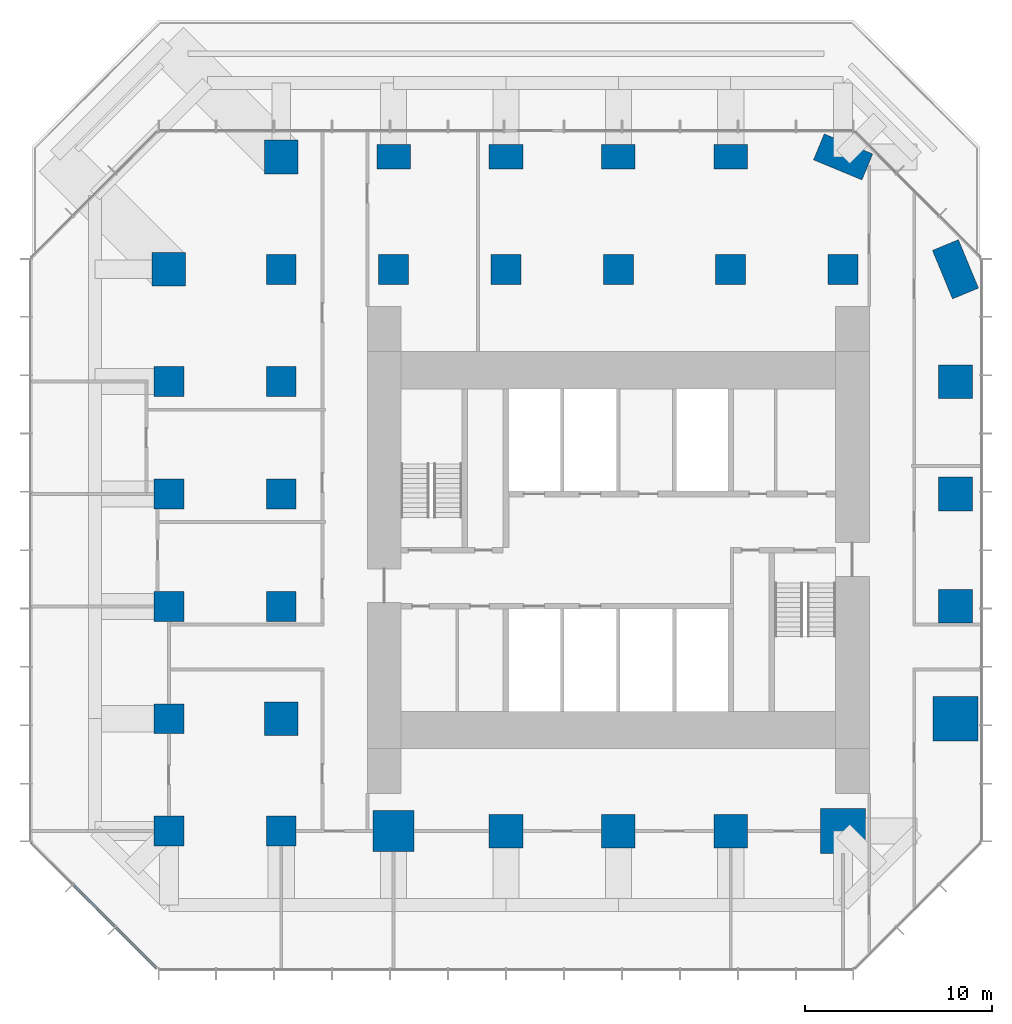
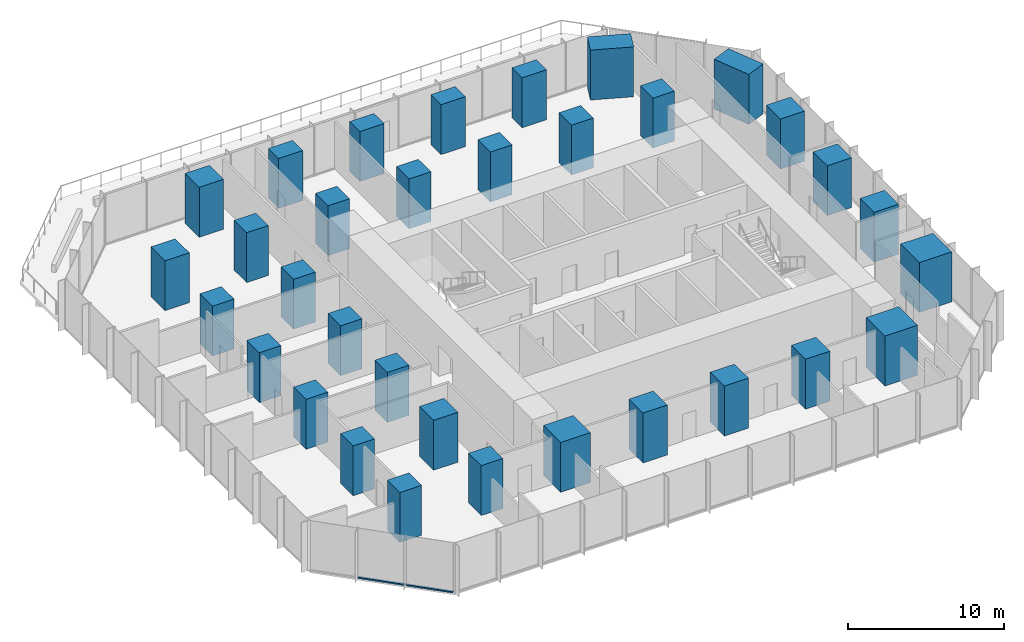
# One storey, part 1 of 11: 33 columns, 2 members, 1 element without a shape of its own.
"""IFC4 building model written with IfcOpenShell, lengths in metres."""

from ifc_helpers import new_model, si_unit, direction, frame, origin, origin_2d, place, context, subcontext, project, spatial, rectangle, extrude, material, layer, layer_set, material_profile, profile_set, type_object, element, aggregate, save


model = new_model("IFC4")

# Units and contexts
model_context = context("Model", 3, precision=1e-05, world=origin(), true_north=direction((0.0, 1.0)))
body_context = subcontext(model_context, "Body", "Model", "MODEL_VIEW")
ifc_project = project(units=[si_unit("LENGTHUNIT", "METRE"), si_unit("AREAUNIT", "SQUARE_METRE"), si_unit("VOLUMEUNIT", "CUBIC_METRE"), si_unit("PLANEANGLEUNIT", "RADIAN"), si_unit("MASSUNIT", "GRAM", prefix="KILO")], contexts=[model_context])

# Site, building, storey
site_placement = place(None, origin())
site = spatial("IfcSite", under=ifc_project, at=site_placement, CompositionType="ELEMENT")
building_placement = place(site_placement, origin())
building = spatial("IfcBuilding", under=site, at=building_placement, Name="Highveld Stack Headquarters", CompositionType="ELEMENT")
storey_placement = place(building_placement, frame((0.0, 0.0, 117.199951171875)))
storey = spatial("IfcBuildingStorey", under=building, at=storey_placement, Name="L28", CompositionType="ELEMENT", Elevation=117.199951171875)

# Columns
ifc_material_1 = material(Name="Concrete C60/75", Category="concrete")
ifc_material_profile_1 = material_profile(ifc_material_1, rectangle(XDim=1.60009765625, YDim=1.60009765625, at=origin_2d()), Name="RC 1600x1600")
ifc_profile_set_1 = profile_set([ifc_material_profile_1], Name="Concrete C60/75")
column_type_1 = type_object("IfcColumnType", Name="COLUMN RC 1600x1600 C60/75", PredefinedType="COLUMN", material=ifc_profile_set_1)
for number, where, z_axis, x_axis, name in (
    (1, (-18.0, -12.0, 0.0), (0.0, 0.0, 1.0), (1.0, 0.0, 0.0), "Column 3/C L28"),
    (2, (-18.0, -6.0, 0.0), (0.0, 0.0, 1.0), (1.0, 0.0, 0.0), "Column 3/D L28"),
    (3, (-18.0, 0.0, 0.0), (0.0, 0.0, 1.0), (1.0, 0.0, 0.0), "Column 3/E L28"),
    (4, (-18.0, 6.0, 0.0), (0.0, 0.0, 1.0), (1.0, 0.0, 0.0), "Column 3/F L28"),
    (5, (-18.0, 12.0, 0.0), (0.0, 0.0, 1.0), (1.0, 0.0, 0.0), "Column 3/G L28"),
    (6, (-12.0, -12.0, 0.0), (0.0, 0.0, 1.0), (1.0, 0.0, 0.0), "Column 4/C L28"),
    (7, (-12.0, 0.0, 0.0), (0.0, 0.0, 1.0), (1.0, 0.0, 0.0), "Column 4/E L28"),
    (8, (-12.0, 6.0, 0.0), (0.0, 0.0, 1.0), (1.0, 0.0, 0.0), "Column 4/F L28"),
    (9, (-12.0, 12.0, 0.0), (0.0, 0.0, 1.0), (1.0, 0.0, 0.0), "Column 4/G L28"),
    (10, (-12.0, 18.0, 0.0), (0.0, 0.0, 1.0), (1.0, 0.0, 0.0), "Column 4/H L28"),
    (11, (-6.0, 18.0, 0.0), (0.0, 0.0, 1.0), (1.0, 0.0, 0.0), "Column 5/H L28"),
    (12, (0.0, 18.0, 0.0), (0.0, 0.0, 1.0), (1.0, 0.0, 0.0), "Column 6/H L28"),
    (13, (6.0, 18.0, 0.0), (0.0, 0.0, 1.0), (1.0, 0.0, 0.0), "Column 7/H L28"),
    (14, (12.0, 18.0, 0.0), (0.0, 0.0, 1.0), (1.0, 0.0, 0.0), "Column 8/H L28"),
    (15, (18.0, 18.0, 0.0), (0.0, 0.0, 1.0), (1.0, 0.0, 0.0), "Column 9/H L28"),
):
    element("IfcColumn", number, at=place(storey_placement, frame(where, z_axis=z_axis, x_axis=x_axis)), inside=storey, type_object=column_type_1, Name=name, PredefinedType="COLUMN", context=body_context, shape_type="SweptSolid", body=[
        extrude(rectangle(XDim=1.60009765625, YDim=1.60009765625, at=origin_2d()), origin(), (0.0, 0.0, 1.0), 3.900146484375),
    ])
ifc_material_2 = material(Name="Concrete C60/75", Category="concrete")
ifc_material_profile_2 = material_profile(ifc_material_2, rectangle(XDim=1.800048828125, YDim=1.300048828125, at=origin_2d()), Name="RC 1800x1300")
ifc_profile_set_2 = profile_set([ifc_material_profile_2], Name="Concrete C60/75")
column_type_2 = type_object("IfcColumnType", Name="COLUMN RC 1800x1300 C60/75", PredefinedType="COLUMN", material=ifc_profile_set_2)
for number, where, z_axis, x_axis, name in (
    (16, (-6.0, 24.0, 0.0), (0.0, 0.0, 1.0), (1.0, 0.0, 0.0), "Column 5/J L28"),
    (17, (0.0, 24.0, 0.0), (0.0, 0.0, 1.0), (1.0, 0.0, 0.0), "Column 6/J L28"),
    (18, (6.0, 24.0, 0.0), (0.0, 0.0, 1.0), (1.0, 0.0, 0.0), "Column 7/J L28"),
    (19, (12.0, 24.0, 0.0), (0.0, 0.0, 1.0), (1.0, 0.0, 0.0), "Column 8/J L28"),
):
    element("IfcColumn", number, at=place(storey_placement, frame(where, z_axis=z_axis, x_axis=x_axis)), inside=storey, type_object=column_type_2, Name=name, PredefinedType="COLUMN", context=body_context, shape_type="SweptSolid", body=[
        extrude(rectangle(XDim=1.800048828125, YDim=1.300048828125, at=origin_2d()), origin(), (0.0, 0.0, 1.0), 3.900146484375),
    ])
ifc_material_3 = material(Name="Concrete C60/75", Category="concrete")
ifc_material_profile_3 = material_profile(ifc_material_3, rectangle(XDim=1.800048828125, YDim=1.800048828125, at=origin_2d()), Name="RC 1800x1800")
ifc_profile_set_3 = profile_set([ifc_material_profile_3], Name="Concrete C60/75")
column_type_3 = type_object("IfcColumnType", Name="COLUMN RC 1800x1800 C60/75", PredefinedType="COLUMN", material=ifc_profile_set_3)
for number, where, z_axis, x_axis, name in (
    (20, (-18.0, 18.0, 0.0), (0.0, 0.0, 1.0), (1.0, 0.0, 0.0), "Column 3/H L28"),
    (21, (-12.0, -6.0, 0.0), (0.0, 0.0, 1.0), (1.0, 0.0, 0.0), "Column 4/D L28"),
    (22, (-12.0, 24.0, 0.0), (0.0, 0.0, 1.0), (1.0, 0.0, 0.0), "Column 4/J L28"),
    (23, (0.0, -12.0, 0.0), (0.0, 0.0, 1.0), (1.0, 0.0, 0.0), "Column 6/C L28"),
    (24, (6.0, -12.0, 0.0), (0.0, 0.0, 1.0), (1.0, 0.0, 0.0), "Column 7/C L28"),
    (25, (12.0, -12.0, 0.0), (0.0, 0.0, 1.0), (1.0, 0.0, 0.0), "Column 8/C L28"),
    (26, (24.0, 0.0, 0.0), (0.0, 0.0, 1.0), (1.0, 0.0, 0.0), "Column 10/E L28"),
    (27, (24.0, 6.0, 0.0), (0.0, 0.0, 1.0), (1.0, 0.0, 0.0), "Column 10/F L28"),
    (28, (24.0, 12.0, 0.0), (0.0, 0.0, 1.0), (1.0, 0.0, 0.0), "Column 10/G L28"),
):
    element("IfcColumn", number, at=place(storey_placement, frame(where, z_axis=z_axis, x_axis=x_axis)), inside=storey, type_object=column_type_3, Name=name, PredefinedType="COLUMN", context=body_context, shape_type="SweptSolid", body=[
        extrude(rectangle(XDim=1.800048828125, YDim=1.800048828125, at=origin_2d()), origin(), (0.0, 0.0, 1.0), 3.900146484375),
    ])
ifc_material_4 = material(Name="Concrete C60/75", Category="concrete")
ifc_material_profile_4 = material_profile(ifc_material_4, rectangle(XDim=2.199951171875, YDim=2.199951171875, at=origin_2d()), Name="RC 2200x2200")
ifc_profile_set_4 = profile_set([ifc_material_profile_4], Name="Concrete C60/75")
column_type_4 = type_object("IfcColumnType", Name="COLUMN RC 2200x2200 C60/75", PredefinedType="COLUMN", material=ifc_profile_set_4)
column_placement = place(storey_placement, frame((-6.0, -12.0, 0.0), z_axis=(0.0, 0.0, 1.0), x_axis=(1.0, 0.0, 0.0)))
element("IfcColumn", 29, at=column_placement, inside=storey, type_object=column_type_4, Name="Column 5/C L28", PredefinedType="COLUMN", context=body_context, shape_type="SweptSolid", body=[
    extrude(rectangle(XDim=2.199951171875, YDim=2.199951171875, at=origin_2d()), origin(), (0.0, 0.0, 1.0), 3.900146484375),
])
ifc_material_5 = material(Name="Concrete C60/75", Category="concrete")
ifc_material_profile_5 = material_profile(ifc_material_5, rectangle(XDim=2.39990234375, YDim=2.39990234375, at=origin_2d()), Name="RC 2400x2400")
ifc_profile_set_5 = profile_set([ifc_material_profile_5], Name="Concrete C60/75")
column_type_5 = type_object("IfcColumnType", Name="COLUMN RC 2400x2400 C60/75", PredefinedType="COLUMN", material=ifc_profile_set_5)
for number, where, z_axis, x_axis, name in (
    (30, (18.0, -12.0, 0.0), (0.0, 0.0, 1.0), (1.0, 0.0, 0.0), "Column 9/C L28"),
    (31, (24.0, -6.0, 0.0), (0.0, 0.0, 1.0), (1.0, 0.0, 0.0), "Column 10/D L28"),
):
    element("IfcColumn", number, at=place(storey_placement, frame(where, z_axis=z_axis, x_axis=x_axis)), inside=storey, type_object=column_type_5, Name=name, PredefinedType="COLUMN", context=body_context, shape_type="SweptSolid", body=[
        extrude(rectangle(XDim=2.39990234375, YDim=2.39990234375, at=origin_2d()), origin(), (0.0, 0.0, 1.0), 3.900146484375),
    ])
ifc_material_6 = material(Name="Concrete C60/75", Category="concrete")
ifc_material_profile_6 = material_profile(ifc_material_6, rectangle(XDim=2.800048828125, YDim=1.5, at=origin_2d()), Name="RC 2800x1500")
ifc_profile_set_6 = profile_set([ifc_material_profile_6], Name="Concrete C60/75")
column_type_6 = type_object("IfcColumnType", Name="COLUMN RC 2800x1500 C60/75", PredefinedType="COLUMN", material=ifc_profile_set_6)
for number, where, z_axis, x_axis, name in (
    (32, (18.0, 24.0, 0.0), (0.0, 0.0, 1.0), (0.923879532511, -0.382683432365, 0.0), "Column 9/J L28"),
    (33, (24.0, 18.0, 0.0), (0.0, 0.0, 1.0), (0.382683432365, -0.923879532511, 0.0), "Column 10/H L28"),
):
    element("IfcColumn", number, at=place(storey_placement, frame(where, z_axis=z_axis, x_axis=x_axis)), inside=storey, type_object=column_type_6, Name=name, PredefinedType="COLUMN", context=body_context, shape_type="SweptSolid", body=[
        extrude(rectangle(XDim=2.800048828125, YDim=1.5, at=origin_2d()), origin(), (0.0, 0.0, 1.0), 3.900146484375),
    ])

# Curtain wall, members
ifc_material_7 = material(Name="Aluminium bronze anodised", Category="aluminium")
ifc_layer = layer(ifc_material_7, 0.199951171875)
ifc_layer_set = layer_set([ifc_layer], Name="Aluminium bronze anodised")
curtain_wall_type = type_object("IfcCurtainWallType", Name="CW2 TOWER CHAMFER UNITISED CURTAIN WALL", PredefinedType="NOTDEFINED", material=ifc_layer_set)
curtain_wall_placement = place(storey_placement, origin())
curtain_wall = element("IfcCurtainWall", 34, at=curtain_wall_placement, inside=storey, type_object=curtain_wall_type, Name="Curtain wall CW2 L28 SW", PredefinedType="NOTDEFINED")
ifc_material_8 = material(Name="Aluminium bronze anodised", Category="aluminium")
ifc_material_profile_7 = material_profile(ifc_material_8, rectangle(XDim=0.14990234375, YDim=0.10009765625, at=origin_2d()), Name="CW2 TRANSOM 150x100")
ifc_profile_set_7 = profile_set([ifc_material_profile_7], Name="Aluminium bronze anodised")
member_type = type_object("IfcMemberType", Name="CW2 STACK TRANSOM 150x100", PredefinedType="USERDEFINED", material=ifc_profile_set_7)
member_1_placement = place(storey_placement, frame((-23.103759765625, -14.876220703125, 0.050048828125), z_axis=(0.707106781187, -0.707106781187, 0.0), x_axis=(0.707106781187, 0.707106781187, 0.0)))
member_1 = element("IfcMember", 35, at=member_1_placement, type_object=member_type, Name="CW2 transom L28 2.1", ObjectType="TRANSOM", PredefinedType="USERDEFINED", context=body_context, shape_type="SweptSolid", body=[
    extrude(rectangle(XDim=0.14990234375, YDim=0.10009765625, at=origin_2d()), origin(), (0.0, 0.0, 1.0), 3.150146484375),
])
member_2_placement = place(storey_placement, frame((-20.830322265625, -17.149658203125, 0.050048828125), z_axis=(0.707106781187, -0.707106781187, 0.0), x_axis=(0.707106781187, 0.707106781187, 0.0)))
member_2 = element("IfcMember", 36, at=member_2_placement, type_object=member_type, Name="CW2 transom L28 3.1", ObjectType="TRANSOM", PredefinedType="USERDEFINED", context=body_context, shape_type="SweptSolid", body=[
    extrude(rectangle(XDim=0.14990234375, YDim=0.10009765625, at=origin_2d()), origin(), (0.0, 0.0, 1.0), 3.08251953125),
])
aggregate(curtain_wall, [member_1, member_2])

save(model, "model.ifc")
